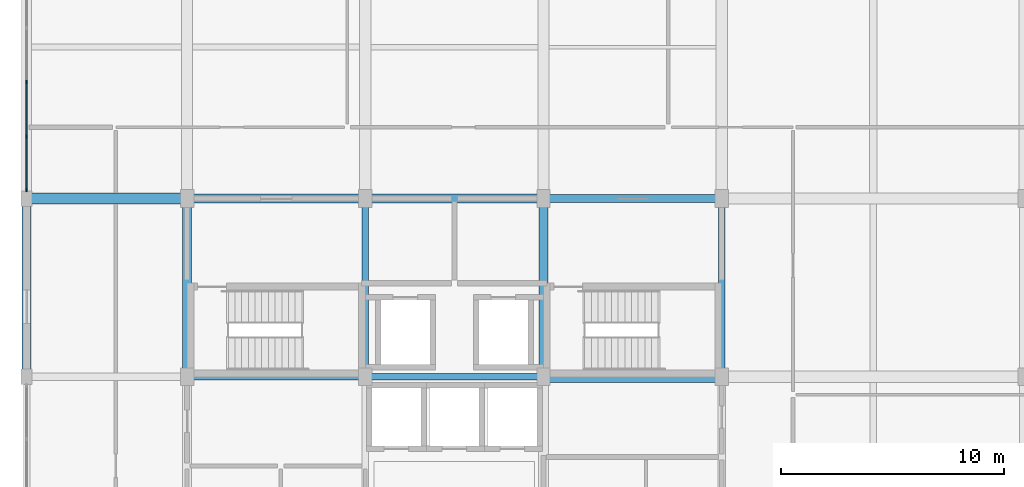
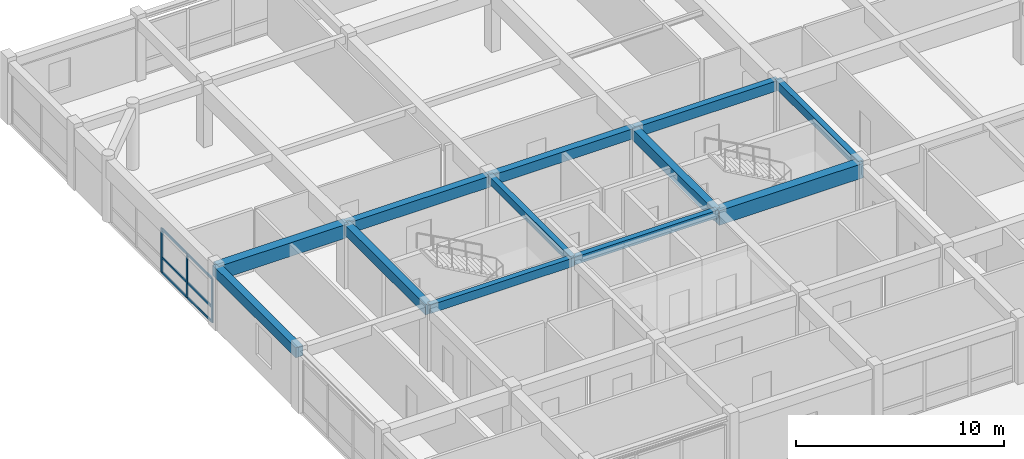
# One storey, part 3 of 13: 12 beams, 9 members, 1 element without a shape of its own.
"""IFC4 building model written with IfcOpenShell, lengths in metres."""

from ifc_helpers import new_model, si_unit, direction, frame, origin, origin_2d, place, context, subcontext, project, spatial, rectangle, extrude, material, material_profile, profile_set, type_object, element, aggregate, save


model = new_model("IFC4")

# Units and contexts
model_context = context("Model", 3, precision=1e-05, world=origin(), true_north=direction((0.0, 1.0)))
body_context = subcontext(model_context, "Body", "Model", "MODEL_VIEW")
ifc_project = project(units=[si_unit("LENGTHUNIT", "METRE"), si_unit("AREAUNIT", "SQUARE_METRE"), si_unit("VOLUMEUNIT", "CUBIC_METRE"), si_unit("PLANEANGLEUNIT", "RADIAN"), si_unit("MASSUNIT", "GRAM", prefix="KILO")], contexts=[model_context])

# Site, building, storey
site_placement = place(None, origin())
site = spatial("IfcSite", under=ifc_project, at=site_placement, CompositionType="ELEMENT")
building_placement = place(site_placement, origin())
building = spatial("IfcBuilding", under=site, at=building_placement, Name="Vellmiral Cinema and Media Centre", CompositionType="ELEMENT")
storey_placement = place(building_placement, frame((0.0, 0.0, 50.89990234375)))
storey = spatial("IfcBuildingStorey", under=building, at=storey_placement, Name="L12", CompositionType="ELEMENT", Elevation=50.89990234375)

# Beams
ifc_material_1 = material(Name="Concrete C40/50", Category="concrete")
ifc_material_profile_1 = material_profile(ifc_material_1, rectangle(XDim=0.300048828125, YDim=0.449951171875, at=origin_2d()), Name="RC 300x450")
ifc_profile_set_1 = profile_set([ifc_material_profile_1], Name="Concrete C40/50")
beam_type_1 = type_object("IfcBeamType", Name="BM-RC-300x450", PredefinedType="BEAM", material=ifc_profile_set_1)
for number, where, z_axis, x_axis, name in (
    (1, (132.0, 87.199951171875, 3.43017578125), (1.0, 0.0, 0.0), (0.0, 1.0, 0.0), "Grid Beam L12-X015"),
    (2, (132.0, 87.199951171875, 3.43017578125), (0.0, 1.0, 0.0), (-1.0, 0.0, 0.0), "Grid Beam L12-Y048"),
):
    element("IfcBeam", number, at=place(storey_placement, frame(where, z_axis=z_axis, x_axis=x_axis)), inside=storey, type_object=beam_type_1, Name=name, PredefinedType="BEAM", context=body_context, shape_type="SweptSolid", body=[
        extrude(rectangle(XDim=0.300048828125, YDim=0.449951171875, at=origin_2d()), origin(), (0.0, 0.0, 1.0), 8.0),
    ])
ifc_material_2 = material(Name="Concrete C40/50", Category="concrete")
ifc_material_profile_2 = material_profile(ifc_material_2, rectangle(XDim=0.300048828125, YDim=0.5, at=origin_2d()), Name="RC 300x500")
ifc_profile_set_2 = profile_set([ifc_material_profile_2], Name="Concrete C40/50")
beam_type_2 = type_object("IfcBeamType", Name="BM-RC-300x500", PredefinedType="BEAM", material=ifc_profile_set_2)
for number, where, z_axis, x_axis, name in (
    (3, (124.0, 87.199951171875, 3.405029296875), (1.0, 0.0, 0.0), (0.0, 1.0, 0.0), "Grid Beam L12-X014"),
    (4, (148.0, 87.199951171875, 3.405029296875), (0.0, 1.0, 0.0), (-1.0, 0.0, 0.0), "Grid Beam L12-Y058"),
):
    element("IfcBeam", number, at=place(storey_placement, frame(where, z_axis=z_axis, x_axis=x_axis)), inside=storey, type_object=beam_type_2, Name=name, PredefinedType="BEAM", context=body_context, shape_type="SweptSolid", body=[
        extrude(rectangle(XDim=0.300048828125, YDim=0.5, at=origin_2d()), origin(), (0.0, 0.0, 1.0), 8.0),
    ])
ifc_material_3 = material(Name="Concrete C40/50", Category="concrete")
ifc_material_profile_3 = material_profile(ifc_material_3, rectangle(XDim=0.35009765625, YDim=0.60009765625, at=origin_2d()), Name="RC 350x600")
ifc_profile_set_3 = profile_set([ifc_material_profile_3], Name="Concrete C40/50")
beam_type_3 = type_object("IfcBeamType", Name="BM-RC-350x600", PredefinedType="BEAM", material=ifc_profile_set_3)
beam_1_placement = place(storey_placement, frame((140.0, 95.199951171875, 3.35498046875), z_axis=(1.0, 0.0, 0.0), x_axis=(0.0, 1.0, 0.0)))
element("IfcBeam", 5, at=beam_1_placement, inside=storey, type_object=beam_type_3, Name="Grid Beam L12-X022", PredefinedType="BEAM", context=body_context, shape_type="SweptSolid", body=[
    extrude(rectangle(XDim=0.35009765625, YDim=0.60009765625, at=origin_2d()), origin(), (0.0, 0.0, 1.0), 8.0),
])
ifc_material_4 = material(Name="Concrete C40/50", Category="concrete")
ifc_material_profile_4 = material_profile(ifc_material_4, rectangle(XDim=0.39990234375, YDim=0.60009765625, at=origin_2d()), Name="RC 400x600")
ifc_profile_set_4 = profile_set([ifc_material_profile_4], Name="Concrete C40/50")
beam_type_4 = type_object("IfcBeamType", Name="BM-RC-400x600", PredefinedType="BEAM", material=ifc_profile_set_4)
for number, where, z_axis, x_axis, name in (
    (6, (132.0, 95.199951171875, 3.35498046875), (1.0, 0.0, 0.0), (0.0, 1.0, 0.0), "Grid Beam L12-X021"),
    (7, (124.0, 87.199951171875, 3.35498046875), (0.0, 1.0, 0.0), (-1.0, 0.0, 0.0), "Grid Beam L12-Y043"),
):
    element("IfcBeam", number, at=place(storey_placement, frame(where, z_axis=z_axis, x_axis=x_axis)), inside=storey, type_object=beam_type_4, Name=name, PredefinedType="BEAM", context=body_context, shape_type="SweptSolid", body=[
        extrude(rectangle(XDim=0.39990234375, YDim=0.60009765625, at=origin_2d()), origin(), (0.0, 0.0, 1.0), 8.0),
    ])
ifc_material_5 = material(Name="Concrete C40/50", Category="concrete")
ifc_material_profile_5 = material_profile(ifc_material_5, rectangle(XDim=0.39990234375, YDim=0.64990234375, at=origin_2d()), Name="RC 400x650")
ifc_profile_set_5 = profile_set([ifc_material_profile_5], Name="Concrete C40/50")
beam_type_5 = type_object("IfcBeamType", Name="BM-RC-400x650", PredefinedType="BEAM", material=ifc_profile_set_5)
for number, where, z_axis, x_axis, name in (
    (8, (124.0, 95.199951171875, 3.330078125), (1.0, 0.0, 0.0), (0.0, 1.0, 0.0), "Grid Beam L12-X020"),
    (9, (140.0, 87.199951171875, 3.330078125), (0.0, 1.0, 0.0), (-1.0, 0.0, 0.0), "Grid Beam L12-Y053"),
):
    element("IfcBeam", number, at=place(storey_placement, frame(where, z_axis=z_axis, x_axis=x_axis)), inside=storey, type_object=beam_type_5, Name=name, PredefinedType="BEAM", context=body_context, shape_type="SweptSolid", body=[
        extrude(rectangle(XDim=0.39990234375, YDim=0.64990234375, at=origin_2d()), origin(), (0.0, 0.0, 1.0), 8.0),
    ])
ifc_material_6 = material(Name="Concrete C40/50", Category="concrete")
ifc_material_profile_6 = material_profile(ifc_material_6, rectangle(XDim=0.5, YDim=0.800048828125, at=origin_2d()), Name="RC 500x800")
ifc_profile_set_6 = profile_set([ifc_material_profile_6], Name="Concrete C40/50")
beam_type_6 = type_object("IfcBeamType", Name="BM-RC-500x800", PredefinedType="BEAM", material=ifc_profile_set_6)
beam_2_placement = place(storey_placement, frame((116.800048828125, 95.199951171875, 3.255126953125), z_axis=(1.0, 0.0, 0.0), x_axis=(0.0, 1.0, 0.0)))
element("IfcBeam", 10, at=beam_2_placement, inside=storey, type_object=beam_type_6, Name="Grid Beam L12-X019", PredefinedType="BEAM", context=body_context, shape_type="SweptSolid", body=[
    extrude(rectangle(XDim=0.5, YDim=0.800048828125, at=origin_2d()), origin(), (0.0, 0.0, 1.0), 7.199951171875),
])
ifc_material_7 = material(Name="Concrete C40/50", Category="concrete")
ifc_material_profile_7 = material_profile(ifc_material_7, rectangle(XDim=0.5, YDim=0.85009765625, at=origin_2d()), Name="RC 500x850")
ifc_profile_set_7 = profile_set([ifc_material_profile_7], Name="Concrete C40/50")
beam_type_7 = type_object("IfcBeamType", Name="BM-RC-500x850", PredefinedType="BEAM", material=ifc_profile_set_7)
beam_3_placement = place(storey_placement, frame((140.0, 87.199951171875, 3.22998046875), z_axis=(1.0, 0.0, 0.0), x_axis=(0.0, 1.0, 0.0)))
element("IfcBeam", 11, at=beam_3_placement, inside=storey, type_object=beam_type_7, Name="Grid Beam L12-X016", PredefinedType="BEAM", context=body_context, shape_type="SweptSolid", body=[
    extrude(rectangle(XDim=0.5, YDim=0.85009765625, at=origin_2d()), origin(), (0.0, 0.0, 1.0), 8.0),
])

# Curtain wall, members
ifc_material_8 = material(Name="Thermally Broken Aluminium and Triple Glazing", Category="aluminium")
curtain_wall_type = type_object("IfcCurtainWallType", Name="CW-TOWER-MID-W", PredefinedType="USERDEFINED", material=ifc_material_8)
curtain_wall_placement = place(storey_placement, origin())
curtain_wall = element("IfcCurtainWall", 12, at=curtain_wall_placement, inside=storey, type_object=curtain_wall_type, Name="Curtain Wall L12-B025", ObjectType="UNITISED CURTAIN WALL", PredefinedType="USERDEFINED")
ifc_material_9 = material(Name="Thermally Broken Anodised Aluminium", Category="aluminium")
ifc_material_profile_8 = material_profile(ifc_material_9, rectangle(XDim=0.06494140625, YDim=0.159912109375, at=origin_2d()), Name="MULL 65x160")
ifc_profile_set_8 = profile_set([ifc_material_profile_8], Name="Thermally Broken Anodised Aluminium")
member_type_1 = type_object("IfcMemberType", Name="CWM-65x160", PredefinedType="MULLION", material=ifc_profile_set_8)
member_1_placement = place(storey_placement, frame((116.800048828125, 100.425048828125, 0.0), z_axis=(0.0, 0.0, 1.0), x_axis=(1.0, 0.0, 0.0)))
member_1 = element("IfcMember", 13, at=member_1_placement, type_object=member_type_1, Name="CW-08 mullion 3", PredefinedType="MULLION", context=body_context, shape_type="SweptSolid", body=[
    extrude(rectangle(XDim=0.06494140625, YDim=0.159912109375, at=origin_2d()), origin(), (0.0, 0.0, 1.0), 2.59521484375),
])
member_2_placement = place(storey_placement, frame((116.800048828125, 97.987548828125, 0.0), z_axis=(0.0, 0.0, 1.0), x_axis=(1.0, 0.0, 0.0)))
member_2 = element("IfcMember", 14, at=member_2_placement, type_object=member_type_1, Name="CW-08 mullion 4", PredefinedType="MULLION", context=body_context, shape_type="SweptSolid", body=[
    extrude(rectangle(XDim=0.06494140625, YDim=0.159912109375, at=origin_2d()), origin(), (0.0, 0.0, 1.0), 2.59521484375),
])
member_3_placement = place(storey_placement, frame((116.800048828125, 95.58251953125, 0.0), z_axis=(0.0, 0.0, 1.0), x_axis=(1.0, 0.0, 0.0)))
member_3 = element("IfcMember", 15, at=member_3_placement, type_object=member_type_1, Name="CW-08 mullion 5", PredefinedType="MULLION", context=body_context, shape_type="SweptSolid", body=[
    extrude(rectangle(XDim=0.06494140625, YDim=0.159912109375, at=origin_2d()), origin(), (0.0, 0.0, 1.0), 2.59521484375),
])
ifc_material_10 = material(Name="Thermally Broken Anodised Aluminium", Category="aluminium")
ifc_material_profile_9 = material_profile(ifc_material_10, rectangle(XDim=0.06494140625, YDim=0.135009765625, at=origin_2d()), Name="MULL 65x135")
ifc_profile_set_9 = profile_set([ifc_material_profile_9], Name="Thermally Broken Anodised Aluminium")
member_type_2 = type_object("IfcMemberType", Name="CWT-65x135", PredefinedType="USERDEFINED", material=ifc_profile_set_9)
member_4_placement = place(storey_placement, frame((116.800048828125, 100.392578125, 0.03271484375), z_axis=(0.0, -1.0, 0.0), x_axis=(1.0, 0.0, 0.0)))
member_4 = element("IfcMember", 16, at=member_4_placement, type_object=member_type_2, Name="CW-08 transom 3.1", ObjectType="TRANSOM", PredefinedType="USERDEFINED", context=body_context, shape_type="SweptSolid", body=[
    extrude(rectangle(XDim=0.06494140625, YDim=0.135009765625, at=origin_2d()), origin(), (0.0, 0.0, 1.0), 2.37255859375),
])
member_5_placement = place(storey_placement, frame((116.800048828125, 100.392578125, 0.900146484375), z_axis=(0.0, -1.0, 0.0), x_axis=(1.0, 0.0, 0.0)))
member_5 = element("IfcMember", 17, at=member_5_placement, type_object=member_type_2, Name="CW-08 transom 3.2", ObjectType="TRANSOM", PredefinedType="USERDEFINED", context=body_context, shape_type="SweptSolid", body=[
    extrude(rectangle(XDim=0.06494140625, YDim=0.135009765625, at=origin_2d()), origin(), (0.0, 0.0, 1.0), 2.37255859375),
])
member_6_placement = place(storey_placement, frame((116.800048828125, 100.392578125, 2.5625), z_axis=(0.0, -1.0, 0.0), x_axis=(1.0, 0.0, 0.0)))
member_6 = element("IfcMember", 18, at=member_6_placement, type_object=member_type_2, Name="CW-08 transom 3.3", ObjectType="TRANSOM", PredefinedType="USERDEFINED", context=body_context, shape_type="SweptSolid", body=[
    extrude(rectangle(XDim=0.06494140625, YDim=0.135009765625, at=origin_2d()), origin(), (0.0, 0.0, 1.0), 2.37255859375),
])
member_7_placement = place(storey_placement, frame((116.800048828125, 97.955078125, 0.03271484375), z_axis=(0.0, -1.0, 0.0), x_axis=(1.0, 0.0, 0.0)))
member_7 = element("IfcMember", 19, at=member_7_placement, type_object=member_type_2, Name="CW-08 transom 4.1", ObjectType="TRANSOM", PredefinedType="USERDEFINED", context=body_context, shape_type="SweptSolid", body=[
    extrude(rectangle(XDim=0.06494140625, YDim=0.135009765625, at=origin_2d()), origin(), (0.0, 0.0, 1.0), 2.340087890625),
])
member_8_placement = place(storey_placement, frame((116.800048828125, 97.955078125, 0.900146484375), z_axis=(0.0, -1.0, 0.0), x_axis=(1.0, 0.0, 0.0)))
member_8 = element("IfcMember", 20, at=member_8_placement, type_object=member_type_2, Name="CW-08 transom 4.2", ObjectType="TRANSOM", PredefinedType="USERDEFINED", context=body_context, shape_type="SweptSolid", body=[
    extrude(rectangle(XDim=0.06494140625, YDim=0.135009765625, at=origin_2d()), origin(), (0.0, 0.0, 1.0), 2.340087890625),
])
member_9_placement = place(storey_placement, frame((116.800048828125, 97.955078125, 2.5625), z_axis=(0.0, -1.0, 0.0), x_axis=(1.0, 0.0, 0.0)))
member_9 = element("IfcMember", 21, at=member_9_placement, type_object=member_type_2, Name="CW-08 transom 4.3", ObjectType="TRANSOM", PredefinedType="USERDEFINED", context=body_context, shape_type="SweptSolid", body=[
    extrude(rectangle(XDim=0.06494140625, YDim=0.135009765625, at=origin_2d()), origin(), (0.0, 0.0, 1.0), 2.340087890625),
])
aggregate(curtain_wall, [member_1, member_2, member_3, member_4, member_5, member_6, member_7, member_8, member_9])

# Beam
ifc_material_11 = material(Name="Concrete C40/50", Category="concrete")
ifc_material_profile_10 = material_profile(ifc_material_11, rectangle(XDim=0.39990234375, YDim=0.60009765625, at=origin_2d()), Name="RC 400x600")
ifc_profile_set_10 = profile_set([ifc_material_profile_10], Name="Concrete C40/50")
beam_type_8 = type_object("IfcBeamType", Name="SPD-RC-400x600", PredefinedType="SPANDREL", material=ifc_profile_set_10)
beam_4_placement = place(storey_placement, frame((116.800048828125, 87.199951171875, 3.35498046875), z_axis=(0.0, 1.0, 0.0), x_axis=(-1.0, 0.0, 0.0)))
element("IfcBeam", 22, at=beam_4_placement, inside=storey, type_object=beam_type_8, Name="Grid Beam L12-Y038", PredefinedType="SPANDREL", context=body_context, shape_type="SweptSolid", body=[
    extrude(rectangle(XDim=0.39990234375, YDim=0.60009765625, at=origin_2d()), origin(), (0.0, 0.0, 1.0), 8.0),
])

save(model, "model.ifc")
